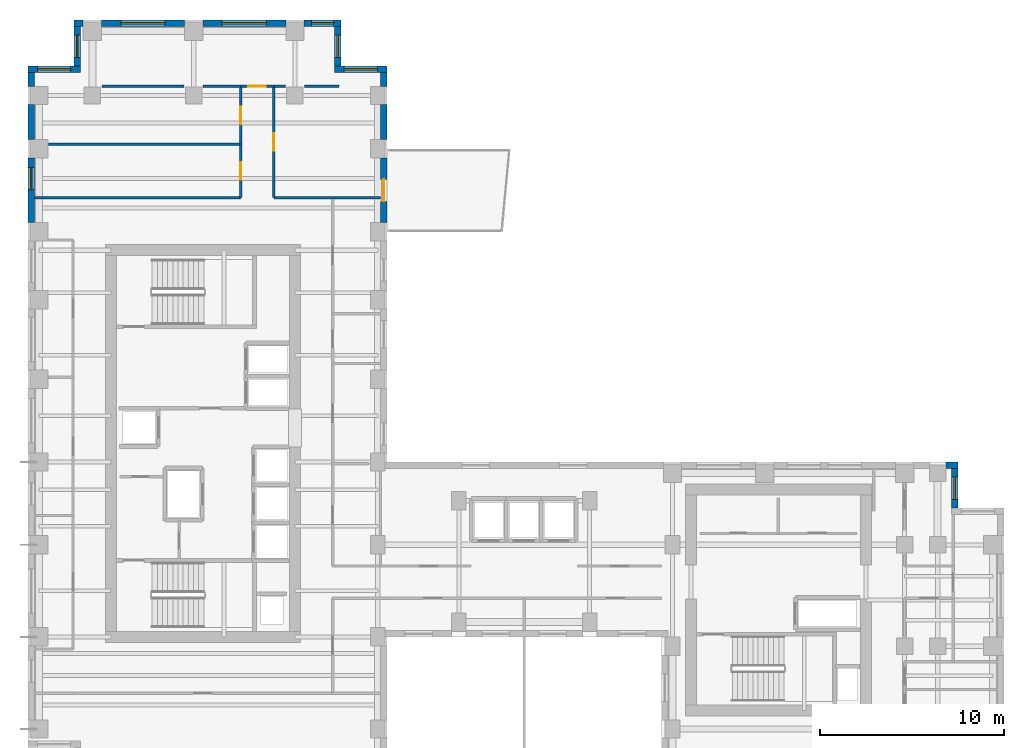
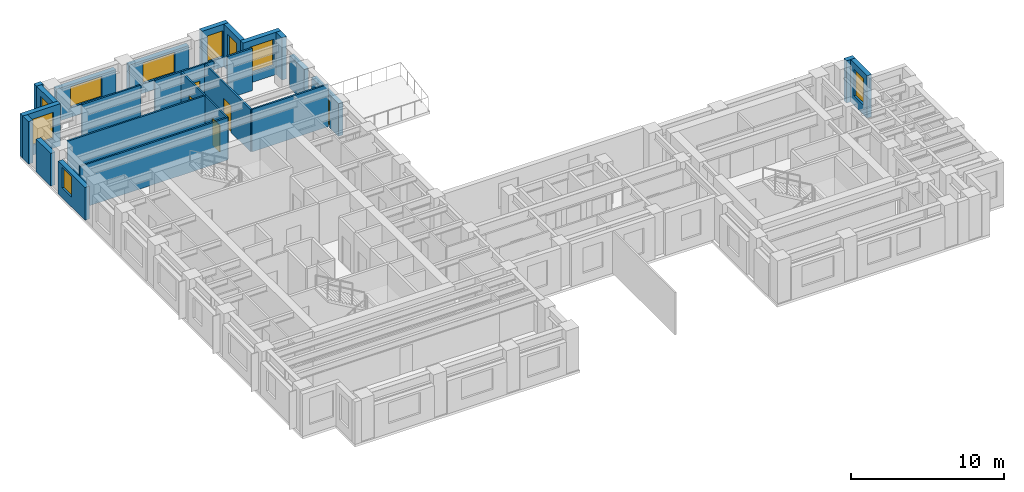
# One storey, part 8 of 11: 27 walls, 9 windows, 5 doors, 14 openings.
"""IFC4 building model written with IfcOpenShell, lengths in metres."""

from ifc_helpers import new_model, si_unit, direction, frame, frame_2d, origin, place, context, subcontext, project, spatial, rectangle, extrude, source, transform, mapped, material, layer, layer_set, type_object, element, fill, save


model = new_model("IFC4")

# Units and contexts
model_context = context("Model", 3, precision=1e-05, world=origin(), true_north=direction((0.0, 1.0)))
body_context = subcontext(model_context, "Body", "Model", "MODEL_VIEW")
ifc_project = project(units=[si_unit("LENGTHUNIT", "METRE"), si_unit("AREAUNIT", "SQUARE_METRE"), si_unit("VOLUMEUNIT", "CUBIC_METRE"), si_unit("PLANEANGLEUNIT", "RADIAN"), si_unit("MASSUNIT", "GRAM", prefix="KILO")], contexts=[model_context])

# Site, building, storey
site_placement = place(None, origin())
site = spatial("IfcSite", under=ifc_project, at=site_placement, CompositionType="ELEMENT")
building_placement = place(site_placement, origin())
building = spatial("IfcBuilding", under=site, at=building_placement, Name="Kharzan Plaza Tower", CompositionType="ELEMENT")
storey_placement = place(building_placement, frame((0.0, 0.0, 171.89990234375)))
storey = spatial("IfcBuildingStorey", under=building, at=storey_placement, Name="L46", CompositionType="ELEMENT", Elevation=171.89990234375)

# Wall, opening, window
ifc_material_1 = material(Name="Concrete C40/50", Category="concrete")
ifc_layer_1 = layer(ifc_material_1, 0.35009765625)
ifc_layer_set_1 = layer_set([ifc_layer_1], Name="Concrete C40/50")
wall_type_1 = type_object("IfcWallType", Name="WL-EXT-MAS-Z3", PredefinedType="SOLIDWALL", material=ifc_layer_set_1)
wall_1_placement = place(storey_placement, frame((19.5, 39.324951171875, 0.0), z_axis=(0.0, 0.0, 1.0), x_axis=(-1.0, 0.0, 0.0)))
wall_1 = element("IfcWall", 1, at=wall_1_placement, inside=storey, type_object=wall_type_1, Name="L46 Masonry-Frame Exterior Wall 01", PredefinedType="SOLIDWALL", context=body_context, shape_type="SweptSolid", body=[
    extrude(rectangle(XDim=2.85009765625, YDim=0.35009765625, at=frame_2d((1.425048828125, 0.0))), origin(), (0.0, 0.0, 1.0), 3.385009765625),
])
opening_1_placement = place(wall_1_placement, frame((0.52490234375, 0.0, 0.780029296875)))
opening_1 = element("IfcOpeningElement", 2, at=opening_1_placement, cuts=wall_1, Name="Opening W1", PredefinedType="OPENING", context=body_context, shape_type="SweptSolid", body=[
    extrude(rectangle(XDim=1.800048828125, YDim=2.10009765625, at=frame_2d((0.89990234375, 1.050048828125))), frame((0.0, 0.18505859375, 0.0), z_axis=(0.0, -1.0, 0.0), x_axis=(1.0, 0.0, 0.0)), (0.0, 0.0, 1.0), 0.3701171875),
])
ifc_material_2 = material(Name="Low-E Double Glazing", Category="glass")
window_type_1 = type_object("IfcWindowType", Name="WN-REC-1800x2100", PartitioningType="SINGLE_PANEL", PredefinedType="WINDOW", material=ifc_material_2)
shared_shape_1 = source(origin(), body_context, "Body", "SweptSolid", [
    extrude(rectangle(XDim=1.800048828125, YDim=2.10009765625, at=frame_2d((0.89990234375, 1.050048828125))), frame((0.0, 0.030029296875, 0.0), z_axis=(0.0, -1.0, 0.0), x_axis=(1.0, 0.0, 0.0)), (0.0, 0.0, 1.0), 0.06005859375),
])
window_1_placement = place(opening_1_placement, origin())
window_1 = element("IfcWindow", 3, at=window_1_placement, inside=storey, type_object=window_type_1, Name="L46 Recessed Solar-Control Window 01-1", OverallHeight=2.10009765625, OverallWidth=1.800048828125, PartitioningType="SINGLE_PANEL", PredefinedType="WINDOW", context=body_context, shape_type="MappedRepresentation", body=[
    mapped(shared_shape_1, transform((0.0, 0.0, 0.0), x_axis=(1.0, 0.0, 0.0), y_axis=(0.0, 1.0, 0.0), z_axis=(0.0, 0.0, 1.0))),
])
fill(opening_1, window_1)

wall_2_placement = place(storey_placement, frame((16.824951171875, 39.498046875, 0.0), z_axis=(0.0, 0.0, 1.0), x_axis=(0.0, 1.0, 0.0)))
wall_2 = element("IfcWall", 4, at=wall_2_placement, inside=storey, type_object=wall_type_1, Name="L46 Masonry-Frame Exterior Wall 02", PredefinedType="SOLIDWALL", context=body_context, shape_type="SweptSolid", body=[
    extrude(rectangle(XDim=2.154052734375, YDim=0.35009765625, at=frame_2d((1.0771484375, 0.0))), origin(), (0.0, 0.0, 1.0), 3.385009765625),
])
opening_2_placement = place(wall_2_placement, frame((0.47705078125, 0.0, 0.780029296875)))
opening_2 = element("IfcOpeningElement", 5, at=opening_2_placement, cuts=wall_2, Name="Opening W3", PredefinedType="OPENING", context=body_context, shape_type="SweptSolid", body=[
    extrude(rectangle(XDim=1.199951171875, YDim=2.10009765625, at=frame_2d((0.60009765625, 1.050048828125))), frame((0.0, 0.18505859375, 0.0), z_axis=(0.0, -1.0, 0.0), x_axis=(1.0, 0.0, 0.0)), (0.0, 0.0, 1.0), 0.3701171875),
])
window_type_2 = type_object("IfcWindowType", Name="WN-REC-1200x2100", PartitioningType="SINGLE_PANEL", PredefinedType="WINDOW", material=ifc_material_2)
shared_shape_2 = source(origin(), body_context, "Body", "SweptSolid", [
    extrude(rectangle(XDim=1.199951171875, YDim=2.10009765625, at=frame_2d((0.60009765625, 1.050048828125))), frame((0.0, 0.030029296875, 0.0), z_axis=(0.0, -1.0, 0.0), x_axis=(1.0, 0.0, 0.0)), (0.0, 0.0, 1.0), 0.06005859375),
])
window_2_placement = place(opening_2_placement, origin())
window_2 = element("IfcWindow", 6, at=window_2_placement, inside=storey, type_object=window_type_2, Name="L46 Recessed Solar-Control Window 02-1", OverallHeight=2.10009765625, OverallWidth=1.199951171875, PartitioningType="SINGLE_PANEL", PredefinedType="WINDOW", context=body_context, shape_type="MappedRepresentation", body=[
    mapped(shared_shape_2, transform((0.0, 0.0, 0.0), x_axis=(1.0, 0.0, 0.0), y_axis=(0.0, 1.0, 0.0), z_axis=(0.0, 0.0, 1.0))),
])
fill(opening_2, window_2)

wall_3_placement = place(storey_placement, frame((17.0, 41.824951171875, 0.0), z_axis=(0.0, 0.0, 1.0), x_axis=(-1.0, 0.0, 0.0)))
wall_3 = element("IfcWall", 7, at=wall_3_placement, inside=storey, type_object=wall_type_1, Name="L46 Masonry-Frame Exterior Wall 03", PredefinedType="SOLIDWALL", context=body_context, shape_type="SweptSolid", body=[
    extrude(rectangle(XDim=2.001953125, YDim=0.35009765625, at=frame_2d((1.0009765625, 0.0))), origin(), (0.0, 0.0, 1.0), 3.385009765625),
])
opening_3_placement = place(wall_3_placement, frame((0.40087890625, 0.0, 0.780029296875)))
opening_3 = element("IfcOpeningElement", 8, at=opening_3_placement, cuts=wall_3, Name="Opening W3", PredefinedType="OPENING", context=body_context, shape_type="SweptSolid", body=[
    extrude(rectangle(XDim=1.199951171875, YDim=2.10009765625, at=frame_2d((0.60009765625, 1.050048828125))), frame((0.0, 0.18505859375, 0.0), z_axis=(0.0, -1.0, 0.0), x_axis=(1.0, 0.0, 0.0)), (0.0, 0.0, 1.0), 0.3701171875),
])
window_3_placement = place(opening_3_placement, origin())
window_3 = element("IfcWindow", 9, at=window_3_placement, inside=storey, type_object=window_type_2, Name="L46 Recessed Solar-Control Window 03-1", OverallHeight=2.10009765625, OverallWidth=1.199951171875, PartitioningType="SINGLE_PANEL", PredefinedType="WINDOW", context=body_context, shape_type="MappedRepresentation", body=[
    mapped(shared_shape_2, transform((0.0, 0.0, 0.0), x_axis=(1.0, 0.0, 0.0), y_axis=(0.0, 1.0, 0.0), z_axis=(0.0, 0.0, 1.0))),
])
fill(opening_3, window_3)

wall_4_placement = place(storey_placement, frame((14.001953125, 41.824951171875, 0.0), z_axis=(0.0, 0.0, 1.0), x_axis=(-1.0, 0.0, 0.0)))
wall_4 = element("IfcWall", 10, at=wall_4_placement, inside=storey, type_object=wall_type_1, Name="L46 Masonry-Frame Exterior Wall 04", PredefinedType="SOLIDWALL", context=body_context, shape_type="SweptSolid", body=[
    extrude(rectangle(XDim=4.50390625, YDim=0.35009765625, at=frame_2d((2.251953125, 0.0))), origin(), (0.0, 0.0, 1.0), 2.612060546875),
])
opening_4_placement = place(wall_4_placement, frame((1.052001953125, 0.0, 0.780029296875)))
opening_4 = element("IfcOpeningElement", 11, at=opening_4_placement, cuts=wall_4, Name="Opening W2", PredefinedType="OPENING", context=body_context, shape_type="SweptSolid", body=[
    extrude(rectangle(XDim=2.39990234375, YDim=1.652099609375, at=frame_2d((1.199951171875, 0.826171875))), frame((0.0, 0.18505859375, 0.0), z_axis=(0.0, -1.0, 0.0), x_axis=(1.0, 0.0, 0.0)), (0.0, 0.0, 1.0), 0.3701171875),
])
window_type_3 = type_object("IfcWindowType", Name="WN-REC-2400x2100", PartitioningType="SINGLE_PANEL", PredefinedType="WINDOW", material=ifc_material_2)
shared_shape_3 = source(origin(), body_context, "Body", "SweptSolid", [
    extrude(rectangle(XDim=2.39990234375, YDim=1.652099609375, at=frame_2d((1.199951171875, 0.826171875))), frame((0.0, 0.030029296875, 0.0), z_axis=(0.0, -1.0, 0.0), x_axis=(1.0, 0.0, 0.0)), (0.0, 0.0, 1.0), 0.06005859375),
])
window_4_placement = place(opening_4_placement, origin())
window_4 = element("IfcWindow", 12, at=window_4_placement, inside=storey, type_object=window_type_3, Name="L46 Wide Recessed Solar-Control Window 04-1", OverallHeight=1.652099609375, OverallWidth=2.39990234375, PartitioningType="SINGLE_PANEL", PredefinedType="WINDOW", context=body_context, shape_type="MappedRepresentation", body=[
    mapped(shared_shape_3, transform((0.0, 0.0, 0.0), x_axis=(1.0, 0.0, 0.0), y_axis=(0.0, 1.0, 0.0), z_axis=(0.0, 0.0, 1.0))),
])
fill(opening_4, window_4)

wall_5_placement = place(storey_placement, frame((8.501953125, 41.824951171875, 0.0), z_axis=(0.0, 0.0, 1.0), x_axis=(-1.0, 0.0, 0.0)))
wall_5 = element("IfcWall", 13, at=wall_5_placement, inside=storey, type_object=wall_type_1, Name="L46 Masonry-Frame Exterior Wall 05", PredefinedType="SOLIDWALL", context=body_context, shape_type="SweptSolid", body=[
    extrude(rectangle(XDim=4.50390625, YDim=0.35009765625, at=frame_2d((2.251953125, 0.0))), origin(), (0.0, 0.0, 1.0), 2.612060546875),
])
opening_5_placement = place(wall_5_placement, frame((1.052001953125, 0.0, 0.780029296875)))
opening_5 = element("IfcOpeningElement", 14, at=opening_5_placement, cuts=wall_5, Name="Opening W2", PredefinedType="OPENING", context=body_context, shape_type="SweptSolid", body=[
    extrude(rectangle(XDim=2.39990234375, YDim=1.652099609375, at=frame_2d((1.199951171875, 0.826171875))), frame((0.0, 0.18505859375, 0.0), z_axis=(0.0, -1.0, 0.0), x_axis=(1.0, 0.0, 0.0)), (0.0, 0.0, 1.0), 0.3701171875),
])
window_5_placement = place(opening_5_placement, origin())
window_5 = element("IfcWindow", 15, at=window_5_placement, inside=storey, type_object=window_type_3, Name="L46 Wide Recessed Solar-Control Window 05-1", OverallHeight=1.652099609375, OverallWidth=2.39990234375, PartitioningType="SINGLE_PANEL", PredefinedType="WINDOW", context=body_context, shape_type="MappedRepresentation", body=[
    mapped(shared_shape_3, transform((0.0, 0.0, 0.0), x_axis=(1.0, 0.0, 0.0), y_axis=(0.0, 1.0, 0.0), z_axis=(0.0, 0.0, 1.0))),
])
fill(opening_5, window_5)

wall_6_placement = place(storey_placement, frame((2.675048828125, 41.652099609375, 0.0), z_axis=(0.0, 0.0, 1.0), x_axis=(0.0, -1.0, 0.0)))
wall_6 = element("IfcWall", 16, at=wall_6_placement, inside=storey, type_object=wall_type_1, Name="L46 Masonry-Frame Exterior Wall 07", PredefinedType="SOLIDWALL", context=body_context, shape_type="SweptSolid", body=[
    extrude(rectangle(XDim=2.154052734375, YDim=0.35009765625, at=frame_2d((1.0771484375, 0.0))), origin(), (0.0, 0.0, 1.0), 3.385009765625),
])
opening_6_placement = place(wall_6_placement, frame((0.47705078125, 0.0, 0.780029296875)))
opening_6 = element("IfcOpeningElement", 17, at=opening_6_placement, cuts=wall_6, Name="Opening W3", PredefinedType="OPENING", context=body_context, shape_type="SweptSolid", body=[
    extrude(rectangle(XDim=1.199951171875, YDim=2.10009765625, at=frame_2d((0.60009765625, 1.050048828125))), frame((0.0, 0.18505859375, 0.0), z_axis=(0.0, -1.0, 0.0), x_axis=(1.0, 0.0, 0.0)), (0.0, 0.0, 1.0), 0.3701171875),
])
window_6_placement = place(opening_6_placement, origin())
window_6 = element("IfcWindow", 18, at=window_6_placement, inside=storey, type_object=window_type_2, Name="L46 Recessed Solar-Control Window 07-1", OverallHeight=2.10009765625, OverallWidth=1.199951171875, PartitioningType="SINGLE_PANEL", PredefinedType="WINDOW", context=body_context, shape_type="MappedRepresentation", body=[
    mapped(shared_shape_2, transform((0.0, 0.0, 0.0), x_axis=(1.0, 0.0, 0.0), y_axis=(0.0, 1.0, 0.0), z_axis=(0.0, 0.0, 1.0))),
])
fill(opening_6, window_6)

wall_7_placement = place(storey_placement, frame((2.85009765625, 39.324951171875, 0.0), z_axis=(0.0, 0.0, 1.0), x_axis=(-1.0, 0.0, 0.0)))
wall_7 = element("IfcWall", 19, at=wall_7_placement, inside=storey, type_object=wall_type_1, Name="L46 Masonry-Frame Exterior Wall 08", PredefinedType="SOLIDWALL", context=body_context, shape_type="SweptSolid", body=[
    extrude(rectangle(XDim=2.85009765625, YDim=0.35009765625, at=frame_2d((1.425048828125, 0.0))), origin(), (0.0, 0.0, 1.0), 3.385009765625),
])
opening_7_placement = place(wall_7_placement, frame((0.52490234375, 0.0, 0.780029296875)))
opening_7 = element("IfcOpeningElement", 20, at=opening_7_placement, cuts=wall_7, Name="Opening W1", PredefinedType="OPENING", context=body_context, shape_type="SweptSolid", body=[
    extrude(rectangle(XDim=1.800048828125, YDim=2.10009765625, at=frame_2d((0.89990234375, 1.050048828125))), frame((0.0, 0.18505859375, 0.0), z_axis=(0.0, -1.0, 0.0), x_axis=(1.0, 0.0, 0.0)), (0.0, 0.0, 1.0), 0.3701171875),
])
window_7_placement = place(opening_7_placement, origin())
window_7 = element("IfcWindow", 21, at=window_7_placement, inside=storey, type_object=window_type_1, Name="L46 Recessed Solar-Control Window 08-1", OverallHeight=2.10009765625, OverallWidth=1.800048828125, PartitioningType="SINGLE_PANEL", PredefinedType="WINDOW", context=body_context, shape_type="MappedRepresentation", body=[
    mapped(shared_shape_1, transform((0.0, 0.0, 0.0), x_axis=(1.0, 0.0, 0.0), y_axis=(0.0, 1.0, 0.0), z_axis=(0.0, 0.0, 1.0))),
])
fill(opening_7, window_7)

wall_8_placement = place(storey_placement, frame((0.175048828125, 34.501953125, 0.0), z_axis=(0.0, 0.0, 1.0), x_axis=(0.0, -1.0, 0.0)))
wall_8 = element("IfcWall", 22, at=wall_8_placement, inside=storey, type_object=wall_type_1, Name="L46 Masonry-Frame Exterior Wall 11", PredefinedType="SOLIDWALL", context=body_context, shape_type="SweptSolid", body=[
    extrude(rectangle(XDim=3.50390625, YDim=0.35009765625, at=frame_2d((1.751953125, 0.0))), origin(), (0.0, 0.0, 1.0), 2.612060546875),
])
opening_8_placement = place(wall_8_placement, frame((0.510986328125, 0.0, 0.780029296875)))
opening_8 = element("IfcOpeningElement", 23, at=opening_8_placement, cuts=wall_8, Name="Opening W3", PredefinedType="OPENING", context=body_context, shape_type="SweptSolid", body=[
    extrude(rectangle(XDim=1.199951171875, YDim=1.652099609375, at=frame_2d((0.60009765625, 0.826171875))), frame((0.0, 0.18505859375, 0.0), z_axis=(0.0, -1.0, 0.0), x_axis=(1.0, 0.0, 0.0)), (0.0, 0.0, 1.0), 0.3701171875),
])
shared_shape_4 = source(origin(), body_context, "Body", "SweptSolid", [
    extrude(rectangle(XDim=1.199951171875, YDim=1.652099609375, at=frame_2d((0.60009765625, 0.826171875))), frame((0.0, 0.030029296875, 0.0), z_axis=(0.0, -1.0, 0.0), x_axis=(1.0, 0.0, 0.0)), (0.0, 0.0, 1.0), 0.06005859375),
])
window_8_placement = place(opening_8_placement, origin())
window_8 = element("IfcWindow", 24, at=window_8_placement, inside=storey, type_object=window_type_2, Name="L46 Recessed Solar-Control Window 11-1", OverallHeight=1.652099609375, OverallWidth=1.199951171875, PartitioningType="SINGLE_PANEL", PredefinedType="WINDOW", context=body_context, shape_type="MappedRepresentation", body=[
    mapped(shared_shape_4, transform((0.0, 0.0, 0.0), x_axis=(1.0, 0.0, 0.0), y_axis=(0.0, 1.0, 0.0), z_axis=(0.0, 0.0, 1.0))),
])
fill(opening_8, window_8)

wall_9_placement = place(storey_placement, frame((50.324951171875, 15.498046875, 0.0), z_axis=(0.0, 0.0, 1.0), x_axis=(0.0, 1.0, 0.0)))
wall_9 = element("IfcWall", 25, at=wall_9_placement, inside=storey, type_object=wall_type_1, Name="L46 Masonry-Frame Exterior Wall 41", PredefinedType="SOLIDWALL", context=body_context, shape_type="SweptSolid", body=[
    extrude(rectangle(XDim=2.154052734375, YDim=0.35009765625, at=frame_2d((1.0771484375, 0.0))), origin(), (0.0, 0.0, 1.0), 3.385009765625),
])
opening_9_placement = place(wall_9_placement, frame((0.47705078125, 0.0, 0.780029296875)))
opening_9 = element("IfcOpeningElement", 26, at=opening_9_placement, cuts=wall_9, Name="Opening W3", PredefinedType="OPENING", context=body_context, shape_type="SweptSolid", body=[
    extrude(rectangle(XDim=1.199951171875, YDim=2.10009765625, at=frame_2d((0.60009765625, 1.050048828125))), frame((0.0, 0.18505859375, 0.0), z_axis=(0.0, -1.0, 0.0), x_axis=(1.0, 0.0, 0.0)), (0.0, 0.0, 1.0), 0.3701171875),
])
window_9_placement = place(opening_9_placement, origin())
window_9 = element("IfcWindow", 27, at=window_9_placement, inside=storey, type_object=window_type_2, Name="L46 Recessed Solar-Control Window 41-1", OverallHeight=2.10009765625, OverallWidth=1.199951171875, PartitioningType="SINGLE_PANEL", PredefinedType="WINDOW", context=body_context, shape_type="MappedRepresentation", body=[
    mapped(shared_shape_2, transform((0.0, 0.0, 0.0), x_axis=(1.0, 0.0, 0.0), y_axis=(0.0, 1.0, 0.0), z_axis=(0.0, 0.0, 1.0))),
])
fill(opening_9, window_9)

# Wall, opening, door
wall_10_placement = place(storey_placement, frame((19.324951171875, 30.998046875, 0.0), z_axis=(0.0, 0.0, 1.0), x_axis=(0.0, 1.0, 0.0)))
wall_10 = element("IfcWall", 28, at=wall_10_placement, inside=storey, type_object=wall_type_1, Name="L46 Masonry-Frame Exterior Wall 50", PredefinedType="SOLIDWALL", context=body_context, shape_type="SweptSolid", body=[
    extrude(rectangle(XDim=3.50390625, YDim=0.35009765625, at=frame_2d((1.751953125, 0.0))), origin(), (0.0, 0.0, 1.0), 2.612060546875),
])
opening_10_placement = place(wall_10_placement, frame((1.152099609375, 0.0, 0.0)))
opening_10 = element("IfcOpeningElement", 29, at=opening_10_placement, cuts=wall_10, Name="Opening ED3", PredefinedType="OPENING", context=body_context, shape_type="SweptSolid", body=[
    extrude(rectangle(XDim=1.199951171875, YDim=2.14990234375, at=frame_2d((0.60009765625, 1.074951171875))), frame((0.0, 0.18505859375, 0.0), z_axis=(0.0, -1.0, 0.0), x_axis=(1.0, 0.0, 0.0)), (0.0, 0.0, 1.0), 0.3701171875),
])
ifc_material_3 = material(Name="Thermally Broken Anodized Bronze Aluminium", Category="aluminium")
door_type_1 = type_object("IfcDoorType", Name="DR-EXT-TRAY-1200", OperationType="SINGLE_SWING_LEFT", PredefinedType="DOOR", material=ifc_material_3)
shared_shape_5 = source(origin(), body_context, "Body", "SweptSolid", [
    extrude(rectangle(XDim=1.199951171875, YDim=2.14990234375, at=frame_2d((0.60009765625, 1.074951171875))), frame((0.0, 0.02490234375, 0.0), z_axis=(0.0, -1.0, 0.0), x_axis=(1.0, 0.0, 0.0)), (0.0, 0.0, 1.0), 0.050048828125),
])
door_1_placement = place(opening_10_placement, frame((1.199951171875, 0.0, 0.0), z_axis=(0.0, 0.0, 1.0), x_axis=(-1.0, 0.0, 0.0)))
door_1 = element("IfcDoor", 30, at=door_1_placement, inside=storey, type_object=door_type_1, Name="L46 Cantilevered Sky-Terrace Tray Access Door", OperationType="SINGLE_SWING_LEFT", OverallHeight=2.14990234375, OverallWidth=1.199951171875, PredefinedType="DOOR", context=body_context, shape_type="MappedRepresentation", body=[
    mapped(shared_shape_5, transform((0.0, 0.0, 0.0), x_axis=(1.0, 0.0, 0.0), y_axis=(0.0, 1.0, 0.0), z_axis=(0.0, 0.0, 1.0))),
])
fill(opening_10, door_1)

ifc_material_4 = material(Name="Fire-Rated Gypsum Board Partition", Category="gypsum")
ifc_layer_2 = layer(ifc_material_4, 0.125)
ifc_layer_set_2 = layer_set([ifc_layer_2], Name="Fire-Rated Gypsum Board Partition")
wall_type_2 = type_object("IfcWallType", Name="WL-INT-PART-125", PredefinedType="PARTITIONING", material=ifc_layer_set_2)
wall_11_placement = place(storey_placement, frame((13.35009765625, 32.35009765625, 0.0), z_axis=(0.0, 0.0, 1.0), x_axis=(0.0, 1.0, 0.0)))
wall_11 = element("IfcWall", 31, at=wall_11_placement, inside=storey, type_object=wall_type_2, Name="L46 Interior Partition SH-SPE-1", PredefinedType="PARTITIONING", context=body_context, shape_type="SweptSolid", body=[
    extrude(rectangle(XDim=6.0498046875, YDim=0.125, at=frame_2d((3.02490234375, 0.0))), origin(), (0.0, 0.0, 1.0), 3.385009765625),
])
opening_11_placement = place(wall_11_placement, frame((2.550048828125, 0.0, 0.0)))
opening_11 = element("IfcOpeningElement", 32, at=opening_11_placement, cuts=wall_11, Name="Opening OD1", PredefinedType="OPENING", context=body_context, shape_type="SweptSolid", body=[
    extrude(rectangle(XDim=0.949951171875, YDim=2.14990234375, at=frame_2d((0.47509765625, 1.074951171875))), frame((0.0, 0.072509765625, 0.0), z_axis=(0.0, -1.0, 0.0), x_axis=(1.0, 0.0, 0.0)), (0.0, 0.0, 1.0), 0.14501953125),
])
ifc_material_5 = material(Name="Acoustic Solid-Core Stained Oak", Category="timber")
door_type_2 = type_object("IfcDoorType", Name="DR-OFF-SINGLE", OperationType="NOTDEFINED", PredefinedType="DOOR", material=ifc_material_5)
shared_shape_6 = source(origin(), body_context, "Body", "SweptSolid", [
    extrude(rectangle(XDim=0.949951171875, YDim=2.14990234375, at=frame_2d((0.47509765625, 1.074951171875))), frame((0.0, 0.02490234375, 0.0), z_axis=(0.0, -1.0, 0.0), x_axis=(1.0, 0.0, 0.0)), (0.0, 0.0, 1.0), 0.050048828125),
])
door_2_placement = place(opening_11_placement, origin())
door_2 = element("IfcDoor", 33, at=door_2_placement, inside=storey, type_object=door_type_2, Name="L46 Project Engineering Office Door", OperationType="SINGLE_SWING_LEFT", OverallHeight=2.14990234375, OverallWidth=0.949951171875, PredefinedType="DOOR", context=body_context, shape_type="MappedRepresentation", body=[
    mapped(shared_shape_6, transform((0.0, 0.0, 0.0), x_axis=(1.0, 0.0, 0.0), y_axis=(0.0, 1.0, 0.0), z_axis=(0.0, 0.0, 1.0))),
])
fill(opening_11, door_2)

wall_12_placement = place(storey_placement, frame((11.550048828125, 38.39990234375, 0.0), z_axis=(0.0, 0.0, 1.0), x_axis=(1.0, 0.0, 0.0)))
wall_12 = element("IfcWall", 34, at=wall_12_placement, inside=storey, type_object=wall_type_2, Name="L46 Interior Partition SH-SPHD", PredefinedType="PARTITIONING", context=body_context, shape_type="SweptSolid", body=[
    extrude(rectangle(XDim=1.800048828125, YDim=0.125, at=frame_2d((0.89990234375, 0.0))), origin(), (0.0, 0.0, 1.0), 3.385009765625),
])
opening_12_placement = place(wall_12_placement, frame((0.425048828125, 0.0, 0.0)))
opening_12 = element("IfcOpeningElement", 35, at=opening_12_placement, cuts=wall_12, Name="Opening OD1", PredefinedType="OPENING", context=body_context, shape_type="SweptSolid", body=[
    extrude(rectangle(XDim=0.949951171875, YDim=2.14990234375, at=frame_2d((0.47509765625, 1.074951171875))), frame((0.0, 0.072509765625, 0.0), z_axis=(0.0, -1.0, 0.0), x_axis=(1.0, 0.0, 0.0)), (0.0, 0.0, 1.0), 0.14501953125),
])
door_3_placement = place(opening_12_placement, origin())
door_3 = element("IfcDoor", 36, at=door_3_placement, inside=storey, type_object=door_type_2, Name="L46 North Boardroom Door", OperationType="SINGLE_SWING_RIGHT", OverallHeight=2.14990234375, OverallWidth=0.949951171875, PredefinedType="DOOR", context=body_context, shape_type="MappedRepresentation", body=[
    mapped(shared_shape_6, transform((0.0, 0.0, 0.0), x_axis=(1.0, 0.0, 0.0), y_axis=(0.0, 1.0, 0.0), z_axis=(0.0, 0.0, 1.0))),
])
fill(opening_12, door_3)

wall_13_placement = place(storey_placement, frame((11.550048828125, 32.35009765625, 0.0), z_axis=(0.0, 0.0, 1.0), x_axis=(0.0, 1.0, 0.0)))
wall_13 = element("IfcWall", 37, at=wall_13_placement, inside=storey, type_object=wall_type_2, Name="L46 Interior Partition SH-SPW-1", PredefinedType="PARTITIONING", context=body_context, shape_type="SweptSolid", body=[
    extrude(rectangle(XDim=2.90380859375, YDim=0.125, at=frame_2d((1.451904296875, 0.0))), origin(), (0.0, 0.0, 1.0), 3.385009765625),
])
opening_13_placement = place(wall_13_placement, frame((0.97705078125, 0.0, 0.0)))
opening_13 = element("IfcOpeningElement", 38, at=opening_13_placement, cuts=wall_13, Name="Opening OD1", PredefinedType="OPENING", context=body_context, shape_type="SweptSolid", body=[
    extrude(rectangle(XDim=0.949951171875, YDim=2.14990234375, at=frame_2d((0.47509765625, 1.074951171875))), frame((0.0, 0.072509765625, 0.0), z_axis=(0.0, -1.0, 0.0), x_axis=(1.0, 0.0, 0.0)), (0.0, 0.0, 1.0), 0.14501953125),
])
door_4_placement = place(opening_13_placement, origin())
door_4 = element("IfcDoor", 39, at=door_4_placement, inside=storey, type_object=door_type_2, Name="L46 Systems Planning Office Door", OperationType="SINGLE_SWING_LEFT", OverallHeight=2.14990234375, OverallWidth=0.949951171875, PredefinedType="DOOR", context=body_context, shape_type="MappedRepresentation", body=[
    mapped(shared_shape_6, transform((0.0, 0.0, 0.0), x_axis=(1.0, 0.0, 0.0), y_axis=(0.0, 1.0, 0.0), z_axis=(0.0, 0.0, 1.0))),
])
fill(opening_13, door_4)

wall_14_placement = place(storey_placement, frame((11.550048828125, 35.25390625, 0.0), z_axis=(0.0, 0.0, 1.0), x_axis=(0.0, 1.0, 0.0)))
wall_14 = element("IfcWall", 40, at=wall_14_placement, inside=storey, type_object=wall_type_2, Name="L46 Interior Partition SH-SPW-2", PredefinedType="PARTITIONING", context=body_context, shape_type="SweptSolid", body=[
    extrude(rectangle(XDim=3.14599609375, YDim=0.125, at=frame_2d((1.572998046875, 0.0))), origin(), (0.0, 0.0, 1.0), 3.385009765625),
])
opening_14_placement = place(wall_14_placement, frame((1.097900390625, 0.0, 0.0)))
opening_14 = element("IfcOpeningElement", 41, at=opening_14_placement, cuts=wall_14, Name="Opening OD1", PredefinedType="OPENING", context=body_context, shape_type="SweptSolid", body=[
    extrude(rectangle(XDim=0.949951171875, YDim=2.14990234375, at=frame_2d((0.47509765625, 1.074951171875))), frame((0.0, 0.072509765625, 0.0), z_axis=(0.0, -1.0, 0.0), x_axis=(1.0, 0.0, 0.0)), (0.0, 0.0, 1.0), 0.14501953125),
])
door_5_placement = place(opening_14_placement, origin())
door_5 = element("IfcDoor", 42, at=door_5_placement, inside=storey, type_object=door_type_2, Name="L46 Open Office Workspace Door", OperationType="SINGLE_SWING_RIGHT", OverallHeight=2.14990234375, OverallWidth=0.949951171875, PredefinedType="DOOR", context=body_context, shape_type="MappedRepresentation", body=[
    mapped(shared_shape_6, transform((0.0, 0.0, 0.0), x_axis=(1.0, 0.0, 0.0), y_axis=(0.0, 1.0, 0.0), z_axis=(0.0, 0.0, 1.0))),
])
fill(opening_14, door_5)

# Walls
shared_shape_7 = source(origin(), body_context, "Body", "SweptSolid", [
    extrude(rectangle(XDim=0.501953125, YDim=0.35009765625, at=frame_2d((0.2509765625, 0.0))), origin(), (0.0, 0.0, 1.0), 3.385009765625),
])
wall_15_placement = place(storey_placement, frame((3.001953125, 41.824951171875, 0.0), z_axis=(0.0, 0.0, 1.0), x_axis=(-1.0, 0.0, 0.0)))
element("IfcWall", 43, at=wall_15_placement, inside=storey, type_object=wall_type_1, Name="L46 Masonry-Frame Exterior Wall 06", PredefinedType="SOLIDWALL", context=body_context, shape_type="MappedRepresentation", body=[
    mapped(shared_shape_7, transform((0.0, 0.0, 0.0), x_axis=(1.0, 0.0, 0.0), y_axis=(0.0, 1.0, 0.0), z_axis=(0.0, 0.0, 1.0))),
])
shared_shape_8 = source(origin(), body_context, "Body", "SweptSolid", [
    extrude(rectangle(XDim=0.754150390625, YDim=0.35009765625, at=frame_2d((0.376953125, 0.0))), origin(), (0.0, 0.0, 1.0), 3.385009765625),
])
for number, where, z_axis, x_axis, name in (
    (44, (0.175048828125, 39.152099609375, 0.0), (0.0, 0.0, 1.0), (0.0, -1.0, 0.0), "L46 Masonry-Frame Exterior Wall 09"),
    (45, (19.324951171875, 38.39794921875, 0.0), (0.0, 0.0, 1.0), (0.0, 1.0, 0.0), "L46 Masonry-Frame Exterior Wall 52"),
):
    element("IfcWall", number, at=place(storey_placement, frame(where, z_axis=z_axis, x_axis=x_axis)), inside=storey, type_object=wall_type_1, Name=name, PredefinedType="SOLIDWALL", context=body_context, shape_type="MappedRepresentation", body=[
        mapped(shared_shape_8, transform((0.0, 0.0, 0.0), x_axis=(1.0, 0.0, 0.0), y_axis=(0.0, 1.0, 0.0), z_axis=(0.0, 0.0, 1.0))),
    ])
shared_shape_9 = source(origin(), body_context, "Body", "SweptSolid", [
    extrude(rectangle(XDim=0.652099609375, YDim=0.35009765625, at=frame_2d((0.326171875, 0.0))), origin(), (0.0, 0.0, 1.0), 3.385009765625),
])
wall_16_placement = place(storey_placement, frame((50.5, 17.824951171875, 0.0), z_axis=(0.0, 0.0, 1.0), x_axis=(-1.0, 0.0, 0.0)))
element("IfcWall", 46, at=wall_16_placement, inside=storey, type_object=wall_type_1, Name="L46 Masonry-Frame Exterior Wall 42", PredefinedType="SOLIDWALL", context=body_context, shape_type="MappedRepresentation", body=[
    mapped(shared_shape_9, transform((0.0, 0.0, 0.0), x_axis=(1.0, 0.0, 0.0), y_axis=(0.0, 1.0, 0.0), z_axis=(0.0, 0.0, 1.0))),
])
shared_shape_10 = source(origin(), body_context, "Body", "SweptSolid", [
    extrude(rectangle(XDim=1.904052734375, YDim=0.35009765625, at=frame_2d((0.9521484375, 0.0))), origin(), (0.0, 0.0, 1.0), 2.612060546875),
])
for number, where, z_axis, x_axis, name in (
    (47, (0.175048828125, 37.402099609375, 0.0), (0.0, 0.0, 1.0), (0.0, -1.0, 0.0), "L46 Masonry-Frame Exterior Wall 10"),
    (48, (19.324951171875, 35.498046875, 0.0), (0.0, 0.0, 1.0), (0.0, 1.0, 0.0), "L46 Masonry-Frame Exterior Wall 51"),
):
    element("IfcWall", number, at=place(storey_placement, frame(where, z_axis=z_axis, x_axis=x_axis)), inside=storey, type_object=wall_type_1, Name=name, PredefinedType="SOLIDWALL", context=body_context, shape_type="MappedRepresentation", body=[
        mapped(shared_shape_10, transform((0.0, 0.0, 0.0), x_axis=(1.0, 0.0, 0.0), y_axis=(0.0, 1.0, 0.0), z_axis=(0.0, 0.0, 1.0))),
    ])
shared_shape_11 = source(origin(), body_context, "Body", "SweptSolid", [
    extrude(rectangle(XDim=5.7978515625, YDim=0.125, at=frame_2d((2.89892578125, 0.0))), origin(), (0.0, 0.0, 1.0), 3.385009765625),
])
wall_17_placement = place(storey_placement, frame((13.35009765625, 32.35009765625, 0.0), z_axis=(0.0, 0.0, 1.0), x_axis=(1.0, 0.0, 0.0)))
element("IfcWall", 49, at=wall_17_placement, inside=storey, type_object=wall_type_2, Name="L46 Interior Partition SH-NNE", PredefinedType="PARTITIONING", context=body_context, shape_type="MappedRepresentation", body=[
    mapped(shared_shape_11, transform((0.0, 0.0, 0.0), x_axis=(1.0, 0.0, 0.0), y_axis=(0.0, 1.0, 0.0), z_axis=(0.0, 0.0, 1.0))),
])
shared_shape_12 = source(origin(), body_context, "Body", "SweptSolid", [
    extrude(rectangle(XDim=11.197998046875, YDim=0.125, at=frame_2d((5.59912109375, 0.0))), origin(), (0.0, 0.0, 1.0), 3.385009765625),
])
wall_18_placement = place(storey_placement, frame((0.35205078125, 32.35009765625, 0.0), z_axis=(0.0, 0.0, 1.0), x_axis=(1.0, 0.0, 0.0)))
element("IfcWall", 50, at=wall_18_placement, inside=storey, type_object=wall_type_2, Name="L46 Interior Partition SH-NNW", PredefinedType="PARTITIONING", context=body_context, shape_type="MappedRepresentation", body=[
    mapped(shared_shape_12, transform((0.0, 0.0, 0.0), x_axis=(1.0, 0.0, 0.0), y_axis=(0.0, 1.0, 0.0), z_axis=(0.0, 0.0, 1.0))),
])
shared_shape_13 = source(origin(), body_context, "Body", "SweptSolid", [
    extrude(rectangle(XDim=10.429931640625, YDim=0.125, at=frame_2d((5.21484375, 0.0))), origin(), (0.0, 0.0, 1.0), 3.385009765625),
])
wall_19_placement = place(storey_placement, frame((1.1201171875, 35.25390625, 0.0), z_axis=(0.0, 0.0, 1.0), x_axis=(1.0, 0.0, 0.0)))
element("IfcWall", 51, at=wall_19_placement, inside=storey, type_object=wall_type_2, Name="L46 Interior Partition SH-NWH-1", PredefinedType="PARTITIONING", context=body_context, shape_type="MappedRepresentation", body=[
    mapped(shared_shape_13, transform((0.0, 0.0, 0.0), x_axis=(1.0, 0.0, 0.0), y_axis=(0.0, 1.0, 0.0), z_axis=(0.0, 0.0, 1.0))),
])
shared_shape_14 = source(origin(), body_context, "Body", "SweptSolid", [
    extrude(rectangle(XDim=0.6298828125, YDim=0.125, at=frame_2d((0.31494140625, 0.0))), origin(), (0.0, 0.0, 1.0), 3.385009765625),
])
wall_20_placement = place(storey_placement, frame((13.35009765625, 38.39990234375, 0.0), z_axis=(0.0, 0.0, 1.0), x_axis=(1.0, 0.0, 0.0)))
element("IfcWall", 52, at=wall_20_placement, inside=storey, type_object=wall_type_2, Name="L46 Interior Partition SH-SPHE-S1", PredefinedType="PARTITIONING", context=body_context, shape_type="MappedRepresentation", body=[
    mapped(shared_shape_14, transform((0.0, 0.0, 0.0), x_axis=(1.0, 0.0, 0.0), y_axis=(0.0, 1.0, 0.0), z_axis=(0.0, 0.0, 1.0))),
])
shared_shape_15 = source(origin(), body_context, "Body", "SweptSolid", [
    extrude(rectangle(XDim=1.8798828125, YDim=0.125, at=frame_2d((0.93994140625, 0.0))), origin(), (0.0, 0.0, 1.0), 3.385009765625),
])
wall_21_placement = place(storey_placement, frame((15.02001953125, 38.39990234375, 0.0), z_axis=(0.0, 0.0, 1.0), x_axis=(1.0, 0.0, 0.0)))
element("IfcWall", 53, at=wall_21_placement, inside=storey, type_object=wall_type_2, Name="L46 Interior Partition SH-SPHE-S2", PredefinedType="PARTITIONING", context=body_context, shape_type="MappedRepresentation", body=[
    mapped(shared_shape_15, transform((0.0, 0.0, 0.0), x_axis=(1.0, 0.0, 0.0), y_axis=(0.0, 1.0, 0.0), z_axis=(0.0, 0.0, 1.0))),
])
shared_shape_16 = source(origin(), body_context, "Body", "SweptSolid", [
    extrude(rectangle(XDim=4.4599609375, YDim=0.125, at=frame_2d((2.22998046875, 0.0))), origin(), (0.0, 0.0, 1.0), 3.385009765625),
])
wall_22_placement = place(storey_placement, frame((4.02001953125, 38.39990234375, 0.0), z_axis=(0.0, 0.0, 1.0), x_axis=(1.0, 0.0, 0.0)))
element("IfcWall", 54, at=wall_22_placement, inside=storey, type_object=wall_type_2, Name="L46 Interior Partition SH-SPHW-S1", PredefinedType="PARTITIONING", context=body_context, shape_type="MappedRepresentation", body=[
    mapped(shared_shape_16, transform((0.0, 0.0, 0.0), x_axis=(1.0, 0.0, 0.0), y_axis=(0.0, 1.0, 0.0), z_axis=(0.0, 0.0, 1.0))),
])
shared_shape_17 = source(origin(), body_context, "Body", "SweptSolid", [
    extrude(rectangle(XDim=2.030029296875, YDim=0.125, at=frame_2d((1.01513671875, 0.0))), origin(), (0.0, 0.0, 1.0), 3.385009765625),
])
wall_23_placement = place(storey_placement, frame((9.52001953125, 38.39990234375, 0.0), z_axis=(0.0, 0.0, 1.0), x_axis=(1.0, 0.0, 0.0)))
element("IfcWall", 55, at=wall_23_placement, inside=storey, type_object=wall_type_2, Name="L46 Interior Partition SH-SPHW-S2", PredefinedType="PARTITIONING", context=body_context, shape_type="MappedRepresentation", body=[
    mapped(shared_shape_17, transform((0.0, 0.0, 0.0), x_axis=(1.0, 0.0, 0.0), y_axis=(0.0, 1.0, 0.0), z_axis=(0.0, 0.0, 1.0))),
])

save(model, "model.ifc")
